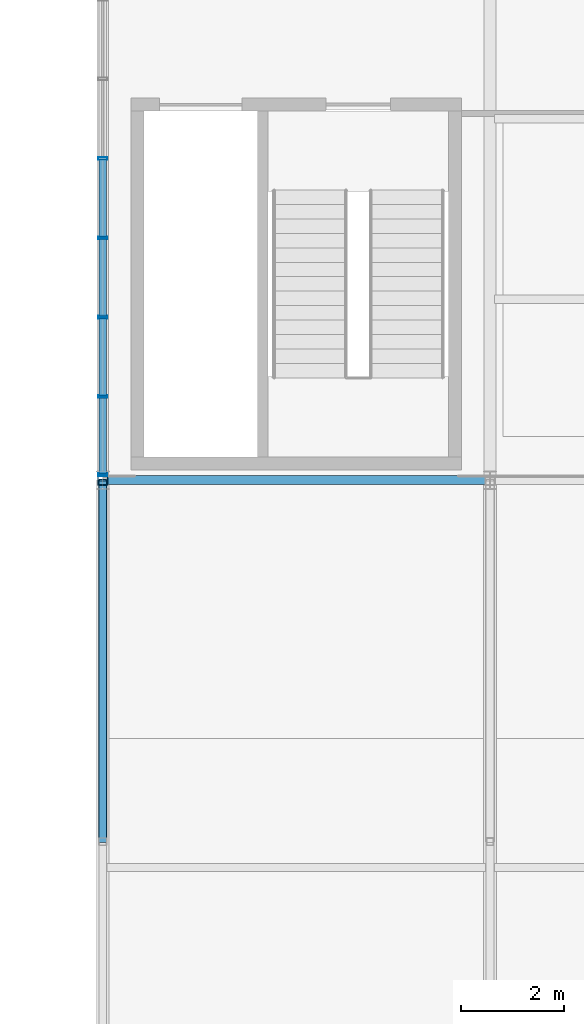
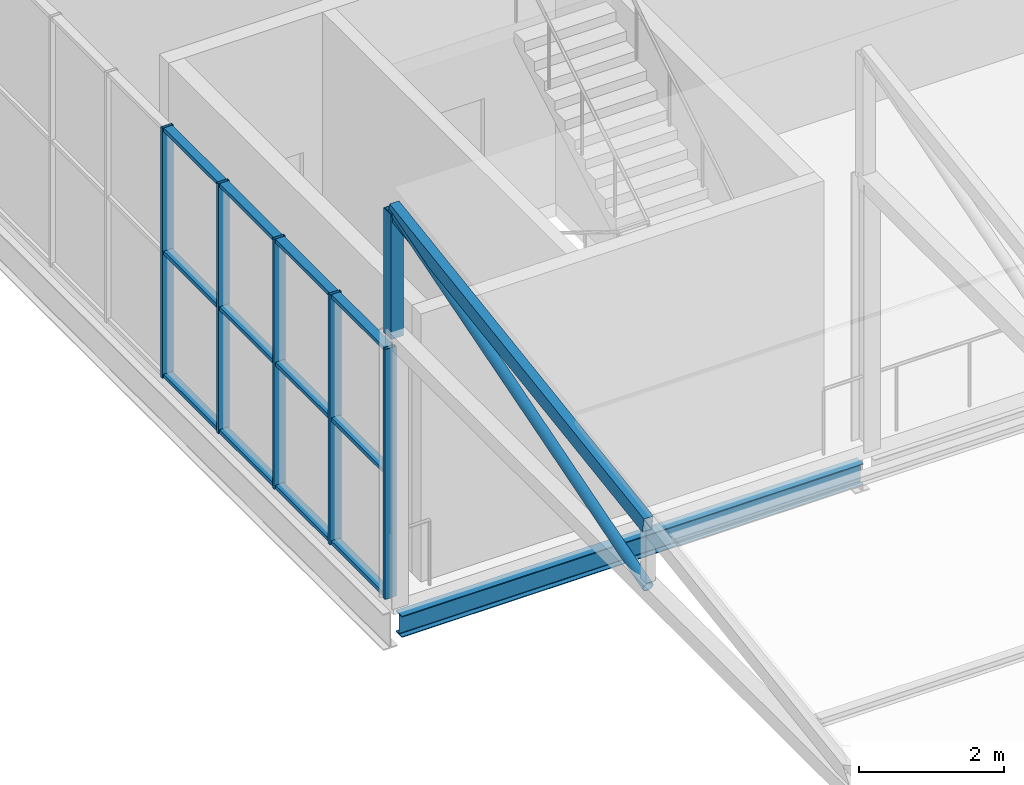
# One storey, part 37 of 104: 20 members, 1 beam, 1 element without a shape of its own.
"""IFC4 building model written with IfcOpenShell, lengths in metres."""

from ifc_helpers import new_model, si_unit, direction, frame, origin, origin_2d, place, context, subcontext, project, spatial, hollow_rectangle, hollow_circle, i_section, extrude, material, layer, layer_set, material_profile, profile_set, type_object, element, aggregate, save


model = new_model("IFC4")

# Units and contexts
model_context = context("Model", 3, precision=1e-05, world=origin(), true_north=direction((0.0, 1.0)))
body_context = subcontext(model_context, "Body", "Model", "MODEL_VIEW")
ifc_project = project(units=[si_unit("LENGTHUNIT", "METRE"), si_unit("AREAUNIT", "SQUARE_METRE"), si_unit("VOLUMEUNIT", "CUBIC_METRE"), si_unit("PLANEANGLEUNIT", "RADIAN"), si_unit("MASSUNIT", "GRAM", prefix="KILO")], contexts=[model_context])

# Site, building, storey
site_placement = place(None, origin())
site = spatial("IfcSite", under=ifc_project, at=site_placement, CompositionType="ELEMENT")
building_placement = place(site_placement, origin())
building = spatial("IfcBuilding", under=site, at=building_placement, Name="Solvenia Promenade Tram Depot", CompositionType="ELEMENT")
storey_placement = place(building_placement, frame((0.0, 0.0, 9.0)))
storey = spatial("IfcBuildingStorey", under=building, at=storey_placement, Name="L02", CompositionType="ELEMENT", Elevation=9.0)

# Curtain wall, members
ifc_material_1 = material(Name="Anodized aluminium AW-6063 T6", Category="aluminium")
ifc_layer = layer(ifc_material_1, 0.14990234375, Name="Anodized aluminium AW-6063 T6", Category="aluminium")
ifc_layer_set = layer_set([ifc_layer], Name="Anodized aluminium AW-6063 T6")
curtain_wall_type = type_object("IfcCurtainWallType", Name="CW-Court-1500", PredefinedType="NOTDEFINED", material=ifc_layer_set)
curtain_wall_placement = place(storey_placement, origin())
curtain_wall = element("IfcCurtainWall", 1, at=curtain_wall_placement, inside=storey, type_object=curtain_wall_type, Name="Curtain Wall CW-V2W-L2-1", PredefinedType="NOTDEFINED")
ifc_material_profile_1 = material_profile(ifc_material_1, hollow_rectangle(XDim=0.179931640625, YDim=0.050048828125, WallThickness=0.00390625, at=origin_2d()), Name="ALU-M2", Category="aluminium")
ifc_profile_set_1 = profile_set([ifc_material_profile_1], Name="Anodized aluminium AW-6063 T6")
member_type_1 = type_object("IfcMemberType", Name="CWM-Mullion-2", PredefinedType="MULLION", material=ifc_profile_set_1)
member_1_placement = place(storey_placement, frame((105.0, 38.10498046875, 0.0), z_axis=(0.0, 0.0, 1.0), x_axis=(-1.0, 0.0, 0.0)))
member_1 = element("IfcMember", 2, at=member_1_placement, type_object=member_type_1, Name="CW-5 mullion 1", PredefinedType="MULLION", context=body_context, shape_type="SweptSolid", body=[
    extrude(hollow_rectangle(XDim=0.179931640625, YDim=0.050048828125, WallThickness=0.00390625, at=origin_2d()), origin(), (0.0, 0.0, 1.0), 4.199951171875),
])
member_2_placement = place(storey_placement, frame((105.0, 39.61767578125, 0.0), z_axis=(0.0, 0.0, 1.0), x_axis=(-1.0, 0.0, 0.0)))
member_2 = element("IfcMember", 3, at=member_2_placement, type_object=member_type_1, Name="CW-5 mullion 2", PredefinedType="MULLION", context=body_context, shape_type="SweptSolid", body=[
    extrude(hollow_rectangle(XDim=0.179931640625, YDim=0.050048828125, WallThickness=0.00390625, at=origin_2d()), origin(), (0.0, 0.0, 1.0), 4.199951171875),
])
member_3_placement = place(storey_placement, frame((105.0, 41.155517578125, 0.0), z_axis=(0.0, 0.0, 1.0), x_axis=(-1.0, 0.0, 0.0)))
member_3 = element("IfcMember", 4, at=member_3_placement, type_object=member_type_1, Name="CW-5 mullion 3", PredefinedType="MULLION", context=body_context, shape_type="SweptSolid", body=[
    extrude(hollow_rectangle(XDim=0.179931640625, YDim=0.050048828125, WallThickness=0.00390625, at=origin_2d()), origin(), (0.0, 0.0, 1.0), 4.199951171875),
])
member_4_placement = place(storey_placement, frame((105.0, 42.693359375, 0.0), z_axis=(0.0, 0.0, 1.0), x_axis=(-1.0, 0.0, 0.0)))
member_4 = element("IfcMember", 5, at=member_4_placement, type_object=member_type_1, Name="CW-5 mullion 4", PredefinedType="MULLION", context=body_context, shape_type="SweptSolid", body=[
    extrude(hollow_rectangle(XDim=0.179931640625, YDim=0.050048828125, WallThickness=0.00390625, at=origin_2d()), origin(), (0.0, 0.0, 1.0), 4.199951171875),
])
member_5_placement = place(storey_placement, frame((105.0, 44.231201171875, 0.0), z_axis=(0.0, 0.0, 1.0), x_axis=(-1.0, 0.0, 0.0)))
member_5 = element("IfcMember", 6, at=member_5_placement, type_object=member_type_1, Name="CW-5 mullion 5", PredefinedType="MULLION", context=body_context, shape_type="SweptSolid", body=[
    extrude(hollow_rectangle(XDim=0.179931640625, YDim=0.050048828125, WallThickness=0.00390625, at=origin_2d()), origin(), (0.0, 0.0, 1.0), 4.199951171875),
])
ifc_material_profile_2 = material_profile(ifc_material_1, hollow_rectangle(XDim=0.139892578125, YDim=0.06494140625, WallThickness=0.00390625, at=origin_2d()), Name="ALU-T2", Category="aluminium")
ifc_profile_set_2 = profile_set([ifc_material_profile_2], Name="Anodized aluminium AW-6063 T6")
member_type_2 = type_object("IfcMemberType", Name="CWT-Transom-2", PredefinedType="USERDEFINED", material=ifc_profile_set_2)
member_6_placement = place(storey_placement, frame((105.0, 38.1298828125, 0.032470703125), z_axis=(0.0, 1.0, 0.0), x_axis=(-1.0, 0.0, 0.0)))
member_6 = element("IfcMember", 7, at=member_6_placement, type_object=member_type_2, Name="CW-5 transom 1.1", ObjectType="TRANSOM", PredefinedType="USERDEFINED", context=body_context, shape_type="SweptSolid", body=[
    extrude(hollow_rectangle(XDim=0.139892578125, YDim=0.06494140625, WallThickness=0.00390625, at=origin_2d()), origin(), (0.0, 0.0, 1.0), 1.462890625),
])
member_7_placement = place(storey_placement, frame((105.0, 38.1298828125, 2.10009765625), z_axis=(0.0, 1.0, 0.0), x_axis=(-1.0, 0.0, 0.0)))
member_7 = element("IfcMember", 8, at=member_7_placement, type_object=member_type_2, Name="CW-5 transom 1.2", ObjectType="TRANSOM", PredefinedType="USERDEFINED", context=body_context, shape_type="SweptSolid", body=[
    extrude(hollow_rectangle(XDim=0.139892578125, YDim=0.06494140625, WallThickness=0.00390625, at=origin_2d()), origin(), (0.0, 0.0, 1.0), 1.462890625),
])
member_8_placement = place(storey_placement, frame((105.0, 38.1298828125, 4.16748046875), z_axis=(0.0, 1.0, 0.0), x_axis=(-1.0, 0.0, 0.0)))
member_8 = element("IfcMember", 9, at=member_8_placement, type_object=member_type_2, Name="CW-5 transom 1.3", ObjectType="TRANSOM", PredefinedType="USERDEFINED", context=body_context, shape_type="SweptSolid", body=[
    extrude(hollow_rectangle(XDim=0.139892578125, YDim=0.06494140625, WallThickness=0.00390625, at=origin_2d()), origin(), (0.0, 0.0, 1.0), 1.462890625),
])
member_9_placement = place(storey_placement, frame((105.0, 39.642822265625, 0.032470703125), z_axis=(0.0, 1.0, 0.0), x_axis=(-1.0, 0.0, 0.0)))
member_9 = element("IfcMember", 10, at=member_9_placement, type_object=member_type_2, Name="CW-5 transom 2.1", ObjectType="TRANSOM", PredefinedType="USERDEFINED", context=body_context, shape_type="SweptSolid", body=[
    extrude(hollow_rectangle(XDim=0.139892578125, YDim=0.06494140625, WallThickness=0.00390625, at=origin_2d()), origin(), (0.0, 0.0, 1.0), 1.48779296875),
])
member_10_placement = place(storey_placement, frame((105.0, 39.642822265625, 2.10009765625), z_axis=(0.0, 1.0, 0.0), x_axis=(-1.0, 0.0, 0.0)))
member_10 = element("IfcMember", 11, at=member_10_placement, type_object=member_type_2, Name="CW-5 transom 2.2", ObjectType="TRANSOM", PredefinedType="USERDEFINED", context=body_context, shape_type="SweptSolid", body=[
    extrude(hollow_rectangle(XDim=0.139892578125, YDim=0.06494140625, WallThickness=0.00390625, at=origin_2d()), origin(), (0.0, 0.0, 1.0), 1.48779296875),
])
member_11_placement = place(storey_placement, frame((105.0, 39.642822265625, 4.16748046875), z_axis=(0.0, 1.0, 0.0), x_axis=(-1.0, 0.0, 0.0)))
member_11 = element("IfcMember", 12, at=member_11_placement, type_object=member_type_2, Name="CW-5 transom 2.3", ObjectType="TRANSOM", PredefinedType="USERDEFINED", context=body_context, shape_type="SweptSolid", body=[
    extrude(hollow_rectangle(XDim=0.139892578125, YDim=0.06494140625, WallThickness=0.00390625, at=origin_2d()), origin(), (0.0, 0.0, 1.0), 1.48779296875),
])
member_12_placement = place(storey_placement, frame((105.0, 41.1806640625, 0.032470703125), z_axis=(0.0, 1.0, 0.0), x_axis=(-1.0, 0.0, 0.0)))
member_12 = element("IfcMember", 13, at=member_12_placement, type_object=member_type_2, Name="CW-5 transom 3.1", ObjectType="TRANSOM", PredefinedType="USERDEFINED", context=body_context, shape_type="SweptSolid", body=[
    extrude(hollow_rectangle(XDim=0.139892578125, YDim=0.06494140625, WallThickness=0.00390625, at=origin_2d()), origin(), (0.0, 0.0, 1.0), 1.487548828125),
])
member_13_placement = place(storey_placement, frame((105.0, 41.1806640625, 2.10009765625), z_axis=(0.0, 1.0, 0.0), x_axis=(-1.0, 0.0, 0.0)))
member_13 = element("IfcMember", 14, at=member_13_placement, type_object=member_type_2, Name="CW-5 transom 3.2", ObjectType="TRANSOM", PredefinedType="USERDEFINED", context=body_context, shape_type="SweptSolid", body=[
    extrude(hollow_rectangle(XDim=0.139892578125, YDim=0.06494140625, WallThickness=0.00390625, at=origin_2d()), origin(), (0.0, 0.0, 1.0), 1.487548828125),
])
member_14_placement = place(storey_placement, frame((105.0, 41.1806640625, 4.16748046875), z_axis=(0.0, 1.0, 0.0), x_axis=(-1.0, 0.0, 0.0)))
member_14 = element("IfcMember", 15, at=member_14_placement, type_object=member_type_2, Name="CW-5 transom 3.3", ObjectType="TRANSOM", PredefinedType="USERDEFINED", context=body_context, shape_type="SweptSolid", body=[
    extrude(hollow_rectangle(XDim=0.139892578125, YDim=0.06494140625, WallThickness=0.00390625, at=origin_2d()), origin(), (0.0, 0.0, 1.0), 1.487548828125),
])
member_15_placement = place(storey_placement, frame((105.0, 42.71826171875, 0.032470703125), z_axis=(0.0, 1.0, 0.0), x_axis=(-1.0, 0.0, 0.0)))
member_15 = element("IfcMember", 16, at=member_15_placement, type_object=member_type_2, Name="CW-5 transom 4.1", ObjectType="TRANSOM", PredefinedType="USERDEFINED", context=body_context, shape_type="SweptSolid", body=[
    extrude(hollow_rectangle(XDim=0.139892578125, YDim=0.06494140625, WallThickness=0.00390625, at=origin_2d()), origin(), (0.0, 0.0, 1.0), 1.48779296875),
])
member_16_placement = place(storey_placement, frame((105.0, 42.71826171875, 2.10009765625), z_axis=(0.0, 1.0, 0.0), x_axis=(-1.0, 0.0, 0.0)))
member_16 = element("IfcMember", 17, at=member_16_placement, type_object=member_type_2, Name="CW-5 transom 4.2", ObjectType="TRANSOM", PredefinedType="USERDEFINED", context=body_context, shape_type="SweptSolid", body=[
    extrude(hollow_rectangle(XDim=0.139892578125, YDim=0.06494140625, WallThickness=0.00390625, at=origin_2d()), origin(), (0.0, 0.0, 1.0), 1.48779296875),
])
member_17_placement = place(storey_placement, frame((105.0, 42.71826171875, 4.16748046875), z_axis=(0.0, 1.0, 0.0), x_axis=(-1.0, 0.0, 0.0)))
member_17 = element("IfcMember", 18, at=member_17_placement, type_object=member_type_2, Name="CW-5 transom 4.3", ObjectType="TRANSOM", PredefinedType="USERDEFINED", context=body_context, shape_type="SweptSolid", body=[
    extrude(hollow_rectangle(XDim=0.139892578125, YDim=0.06494140625, WallThickness=0.00390625, at=origin_2d()), origin(), (0.0, 0.0, 1.0), 1.48779296875),
])
aggregate(curtain_wall, [member_1, member_2, member_3, member_4, member_5, member_6, member_7, member_8, member_9, member_10, member_11, member_12, member_13, member_14, member_15, member_16, member_17])

# Members
ifc_material_2 = material(Name="Structural steel ASTM A500 Gr. C", Category="steel")
ifc_material_profile_3 = material_profile(ifc_material_2, hollow_rectangle(XDim=0.14990234375, YDim=0.25, WallThickness=0.010009765625, at=origin_2d()), Name="HSS250x150x10", Category="steel")
ifc_profile_set_3 = profile_set([ifc_material_profile_3], Name="Structural steel ASTM A500 Gr. C")
member_type_3 = type_object("IfcMemberType", Name="Chord-HSS250x150x10", PredefinedType="CHORD", material=ifc_profile_set_3)
member_18_placement = place(storey_placement, frame((105.0, 31.0, 5.530029296875), z_axis=(0.0, 0.988935340875, 0.148347199397), x_axis=(-1.0, 0.0, 0.0)))
element("IfcMember", 19, at=member_18_placement, inside=storey, type_object=member_type_3, Name="Crane Hall Clerestory Rafter 01N", PredefinedType="CHORD", context=body_context, shape_type="SweptSolid", body=[
    extrude(hollow_rectangle(XDim=0.14990234375, YDim=0.25, WallThickness=0.010009765625, at=origin_2d()), origin(), (0.0, 0.0, 1.0), 7.078369140625),
])
ifc_material_profile_4 = material_profile(ifc_material_2, hollow_rectangle(XDim=0.199951171875, YDim=0.199951171875, WallThickness=0.010009765625, at=origin_2d()), Name="HSS200x200x10", Category="steel")
ifc_profile_set_4 = profile_set([ifc_material_profile_4], Name="Structural steel ASTM A500 Gr. C")
member_type_4 = type_object("IfcMemberType", Name="Post-HSS200x200x10", PredefinedType="POST", material=ifc_profile_set_4)
member_19_placement = place(storey_placement, frame((105.0, 38.0, 4.47998046875), z_axis=(0.0, 0.0, 1.0), x_axis=(1.0, 0.0, 0.0)))
element("IfcMember", 20, at=member_19_placement, inside=storey, type_object=member_type_4, Name="Crane Hall Clerestory Post 01", PredefinedType="POST", context=body_context, shape_type="SweptSolid", body=[
    extrude(hollow_rectangle(XDim=0.199951171875, YDim=0.199951171875, WallThickness=0.010009765625, at=origin_2d()), origin(), (0.0, 0.0, 1.0), 2.10009765625),
])

# Beam
ifc_material_3 = material(Name="Structural steel ASTM A992 Gr. 50", Category="steel")
ifc_material_profile_5 = material_profile(ifc_material_3, i_section(OverallWidth=0.172119140625, OverallDepth=0.35791015625, WebThickness=0.0078125, FlangeThickness=0.01318359375, FilletRadius=0.010986328125, at=origin_2d()), Name="W360x57", Category="steel")
ifc_profile_set_5 = profile_set([ifc_material_profile_5], Name="Structural steel ASTM A992 Gr. 50")
beam_type = type_object("IfcBeamType", Name="Spandrel-W360x57", PredefinedType="SPANDREL", material=ifc_profile_set_5)
beam_placement = place(storey_placement, frame((105.0849609375, 38.0, -0.4189453125), z_axis=(1.0, 0.0, 0.0), x_axis=(0.0, 1.0, 0.0)))
element("IfcBeam", 21, at=beam_placement, inside=storey, type_object=beam_type, Name="Perimeter Spandrel BM-L02-0448", PredefinedType="SPANDREL", context=body_context, shape_type="SweptSolid", body=[
    extrude(i_section(OverallWidth=0.172119140625, OverallDepth=0.35791015625, WebThickness=0.0078125, FlangeThickness=0.01318359375, FilletRadius=0.010986328125, at=origin_2d()), origin(), (0.0, 0.0, 1.0), 7.330078125),
])

# Member
ifc_material_profile_6 = material_profile(ifc_material_2, hollow_circle(Radius=0.084228515625, WallThickness=0.008056640625, at=origin_2d()), Name="CHS168.3x8", Category="steel")
ifc_profile_set_6 = profile_set([ifc_material_profile_6], Name="Structural steel ASTM A500 Gr. C")
member_type_5 = type_object("IfcMemberType", Name="WebDiag-CHS168x8", PredefinedType="BRACE", material=ifc_profile_set_6)
member_20_placement = place(storey_placement, frame((105.0, 31.0, 4.47998046875), z_axis=(0.0, 0.957822607396, 0.287360144699), x_axis=(-1.0, 0.0, 0.0)))
element("IfcMember", 22, at=member_20_placement, inside=storey, type_object=member_type_5, Name="Crane Hall Truss Web Diagonal 01", PredefinedType="BRACE", context=body_context, shape_type="SweptSolid", body=[
    extrude(hollow_circle(Radius=0.084228515625, WallThickness=0.008056640625, at=origin_2d()), origin(), (0.0, 0.0, 1.0), 7.308349609375),
])

save(model, "model.ifc")
